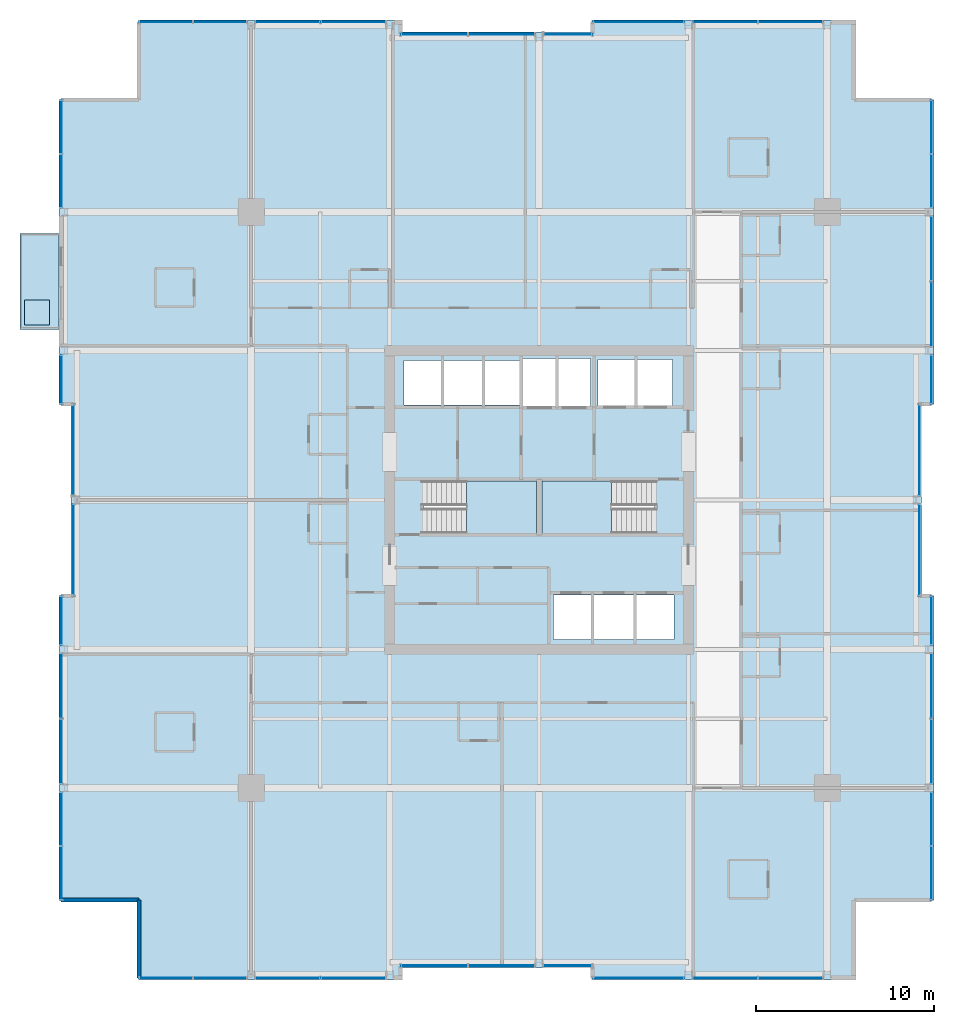
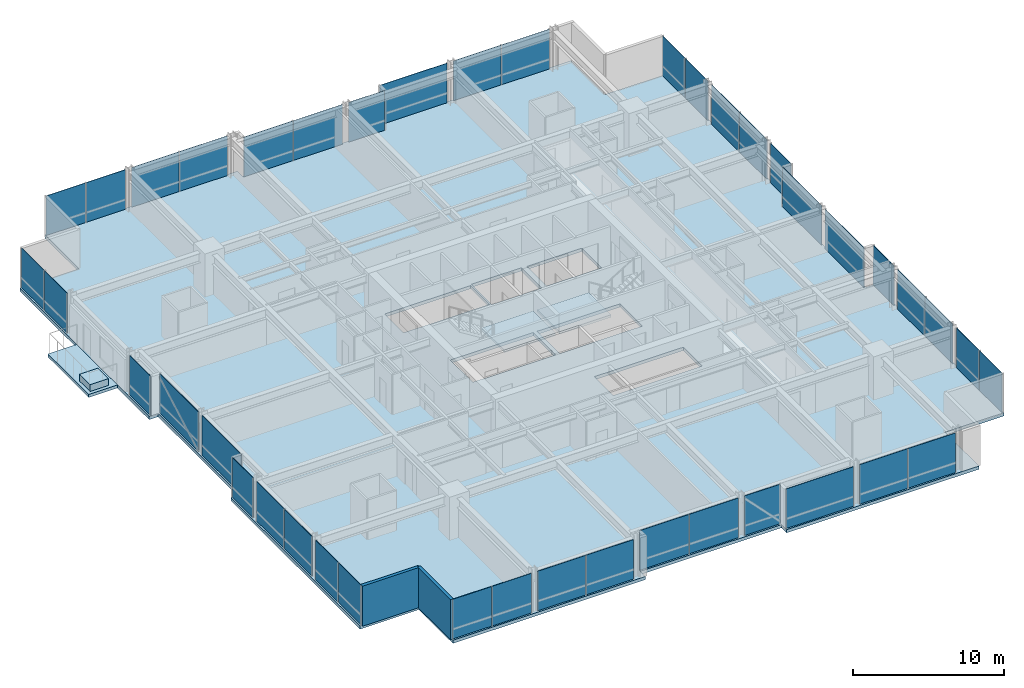
# One storey, part 27 of 34: 42 plates, 5 slabs, 2 walls, 29 elements without a shape of their own.
"""IFC4 building model written with IfcOpenShell, lengths in metres."""

import ifcopenshell
import ifcopenshell.guid

model = None  # the IFC model being written
_history = None  # IfcOwnerHistory: only IFC2X3 demands one
_inside = {}  # id of a spatial element -> (the spatial element, [elements in it])
_under = {}  # id of a project, library or spatial element -> (it, [spatial elements below it])
_declared = {}  # id of a project -> (the project, [libraries it declares])
_typed = {}  # id of a type object -> (the type object, [elements of that type])
_made_of = {}  # id of a material, layer set ... -> (it, [elements and type objects made of it])


def new_model(schema):
    """Start an empty IFC model of exactly this schema.

    Asked for "IFC4X3", IfcOpenShell would pick the latest addendum, in which some entities
    have other attributes; the version numbers below select the first issue.
    IFC2X3 requires an IfcOwnerHistory on every rooted entity: one is made here for all.
    """
    global model, _history
    if schema == "IFC4X3":
        model = ifcopenshell.file(schema_version=(4, 3, 0, 0))
    else:
        model = ifcopenshell.file(schema=schema)
    _inside.clear()
    _under.clear()
    _declared.clear()
    _typed.clear()
    _made_of.clear()
    _history = None
    if model.schema == "IFC2X3":
        org = make("IfcOrganization", Name="unknown")
        user = make(
            "IfcPersonAndOrganization",
            ThePerson=make("IfcPerson", FamilyName="unknown"),
            TheOrganization=org,
        )
        app = make(
            "IfcApplication",
            ApplicationDeveloper=org,
            Version="unknown",
            ApplicationFullName="unknown",
            ApplicationIdentifier="unknown",
        )
        _history = make(
            "IfcOwnerHistory",
            OwningUser=user,
            OwningApplication=app,
            ChangeAction="ADDED",
            CreationDate=0,
        )
    return model


def make(cls, **values):
    """One entity of the class cls with the attributes given. An attribute that is None is left unset."""
    return model.create_entity(
        cls, **{name: value for name, value in values.items() if value is not None}
    )


def rooted(cls, **values):
    """An entity with a GlobalId (a new one), such as an element, a storey or a relation."""
    return make(cls, GlobalId=ifcopenshell.guid.new(), OwnerHistory=_history, **values)


def si_unit(unit_type, name, prefix=None):
    """IfcSIUnit, for example si_unit("LENGTHUNIT", "METRE", prefix="MILLI")."""
    return make("IfcSIUnit", UnitType=unit_type, Prefix=prefix, Name=name)


def assignment(units):
    """IfcUnitAssignment: the units of a project."""
    return None if units is None else make("IfcUnitAssignment", Units=units)


def point(xyz):
    """IfcCartesianPoint."""
    return None if xyz is None else make("IfcCartesianPoint", Coordinates=xyz)


def direction(xyz):
    """IfcDirection."""
    return None if xyz is None else make("IfcDirection", DirectionRatios=xyz)


def frame(location, z_axis=None, x_axis=None):
    """IfcAxis2Placement3D, a coordinate frame: its origin and axes. An axis left out is left unset."""
    return make(
        "IfcAxis2Placement3D",
        Location=point(location),
        Axis=direction(z_axis),
        RefDirection=direction(x_axis),
    )


def frame_2d(location, x_axis=None):
    """IfcAxis2Placement2D, a coordinate frame in the plane: its origin and x axis."""
    return make(
        "IfcAxis2Placement2D", Location=point(location), RefDirection=direction(x_axis)
    )


def origin():
    """The frame at (0, 0, 0) with its axes left unset."""
    return frame((0.0, 0.0, 0.0))


def origin_2d():
    """The frame at (0, 0) in the plane with its x axis left unset."""
    return frame_2d((0.0, 0.0))


def place(relative_to, where):
    """IfcLocalPlacement: puts the frame where relative to a parent placement (None: the world)."""
    return make(
        "IfcLocalPlacement", PlacementRelTo=relative_to, RelativePlacement=where
    )


def context(
    kind, dimensions, precision=None, world=None, true_north=None, identifier=None
):
    """IfcGeometricRepresentationContext, for example the 3D "Model" context."""
    return make(
        "IfcGeometricRepresentationContext",
        ContextIdentifier=identifier,
        ContextType=kind,
        CoordinateSpaceDimension=dimensions,
        Precision=precision,
        WorldCoordinateSystem=world,
        TrueNorth=true_north,
    )


def subcontext(parent, identifier, kind, view, scale=None):
    """IfcGeometricRepresentationSubContext, for example "Body" below "Model"."""
    return make(
        "IfcGeometricRepresentationSubContext",
        ContextIdentifier=identifier,
        ContextType=kind,
        ParentContext=parent,
        TargetScale=scale,
        TargetView=view,
    )


def project(units=None, contexts=None):
    """IfcProject with its units and contexts."""
    return rooted(
        "IfcProject",
        Name="project",
        RepresentationContexts=contexts,
        UnitsInContext=assignment(units),
    )


def spatial(cls, under=None, at=None, **own):
    """A site, building, storey or space (cls), placed at a placement, below another one or the project."""
    s = rooted(cls, ObjectPlacement=at, **own)
    if under is not None:
        _under.setdefault(under.id(), (under, []))[1].append(s)
    return s


def polyline(points):
    """IfcPolyline through the points."""
    return make("IfcPolyline", Points=[point(p) for p in points])


def profile(cls, at=None, kind="AREA", **sizes):
    """A parametric profile (cls). Its sizes go by their IFC names, for example OverallWidth=200.0."""
    return make(cls, ProfileType=kind, Position=at, **sizes)


def rectangle(**sizes):
    """IfcRectangleProfileDef."""
    return profile("IfcRectangleProfileDef", **sizes)


def outline(outer, holes=None, kind="AREA"):
    """IfcArbitraryClosedProfileDef: a profile drawn as a closed curve; with holes, ...WithVoids."""
    if holes is None:
        return make("IfcArbitraryClosedProfileDef", ProfileType=kind, OuterCurve=outer)
    return make(
        "IfcArbitraryProfileDefWithVoids",
        ProfileType=kind,
        OuterCurve=outer,
        InnerCurves=holes,
    )


def extrude(swept, where, along, depth):
    """IfcExtrudedAreaSolid: the profile swept, set in the frame where, extruded along a direction by depth."""
    return make(
        "IfcExtrudedAreaSolid",
        SweptArea=swept,
        Position=where,
        ExtrudedDirection=direction(along),
        Depth=depth,
    )


def shape(context_of_items, identifier, shape_type, items):
    """IfcShapeRepresentation: the items that make up one representation, for example the "Body"."""
    return make(
        "IfcShapeRepresentation",
        ContextOfItems=context_of_items,
        RepresentationIdentifier=identifier,
        RepresentationType=shape_type,
        Items=items,
    )


def material(Name=None, Category=None):
    """IfcMaterial."""
    return make("IfcMaterial", Name=Name, Category=Category)


def layer(
    of_material, thickness, ventilated=None, Name=None, Category=None, Priority=None
):
    """IfcMaterialLayer: one layer of a wall or slab, of a material (None: an air gap)."""
    return make(
        "IfcMaterialLayer",
        Material=of_material,
        LayerThickness=thickness,
        IsVentilated=ventilated,
        Name=Name,
        Category=Category,
        Priority=Priority,
    )


def layer_set(layers, Name=None):
    """IfcMaterialLayerSet."""
    return make("IfcMaterialLayerSet", MaterialLayers=layers, LayerSetName=Name)


def made_of(thing, what):
    """Note that an element or type object is made of a material, layer set ...; save() writes the relation."""
    if what is not None:
        _made_of.setdefault(what.id(), (what, []))[1].append(thing)
    return thing


def type_object(cls, material=None, **own):
    """A type object (cls), such as IfcWallType, which elements share."""
    return made_of(rooted(cls, **own), material)


def element(
    cls,
    number,
    at=None,
    inside=None,
    cuts=None,
    type_object=None,
    material=None,
    context=None,
    identifier="Body",
    shape_type=None,
    held_by="IfcProductDefinitionShape",
    body=None,
    shapes=None,
    **own,
):
    """One element of the class cls, such as IfcWall. Its Tag is "e" and its number.

    at: its placement. inside: the storey or other place that contains it. cuts: it is an
    opening in that element (IfcRelVoidsElement). A single representation is given by context,
    identifier, shape_type and body (its items); several are given by shapes. held_by: the class
    of the entity that holds the representations. save() writes the other relations.
    """
    e = rooted(cls, Tag="e%d" % number, ObjectPlacement=at, **own)
    if body is not None:
        shapes = [shape(context, identifier, shape_type, body)]
    if shapes is not None:
        e.Representation = make(held_by, Representations=shapes)
    if inside is not None:
        _inside.setdefault(inside.id(), (inside, []))[1].append(e)
    if cuts is not None:
        rooted(
            "IfcRelVoidsElement", RelatingBuildingElement=cuts, RelatedOpeningElement=e
        )
    if type_object is not None:
        _typed.setdefault(type_object.id(), (type_object, []))[1].append(e)
    return made_of(e, material)


def aggregate(whole, parts):
    """IfcRelAggregates: a whole, such as a stair, and the parts it consists of."""
    return rooted("IfcRelAggregates", RelatingObject=whole, RelatedObjects=parts)


def save(model, path):
    """Write the relations noted so far, then the file.

    IfcRelAggregates (storeys below a building ...), IfcRelContainedInSpatialStructure (elements
    in a storey), IfcRelDefinesByType, IfcRelAssociatesMaterial and IfcRelDeclares: one each for
    every whole, place, type object, material and project.
    """
    for whole, parts in _under.values():
        aggregate(whole, parts)
    for where, things in _inside.values():
        rooted(
            "IfcRelContainedInSpatialStructure",
            RelatedElements=things,
            RelatingStructure=where,
        )
    for kind, things in _typed.values():
        rooted("IfcRelDefinesByType", RelatedObjects=things, RelatingType=kind)
    for what, things in _made_of.values():
        rooted("IfcRelAssociatesMaterial", RelatedObjects=things, RelatingMaterial=what)
    for by, libraries in _declared.values():
        rooted("IfcRelDeclares", RelatingContext=by, RelatedDefinitions=libraries)
    model.write(path)


model = new_model("IFC4")

# Units and contexts
model_context = context("Model", 3, precision=1e-05, world=origin(), true_north=direction((0.0, 1.0)))
body_context = subcontext(model_context, "Body", "Model", "MODEL_VIEW")
ifc_project = project(units=[si_unit("LENGTHUNIT", "METRE"), si_unit("AREAUNIT", "SQUARE_METRE"), si_unit("VOLUMEUNIT", "CUBIC_METRE"), si_unit("PLANEANGLEUNIT", "RADIAN"), si_unit("MASSUNIT", "GRAM", prefix="KILO")], contexts=[model_context])

# Site, building, storey
site_placement = place(None, origin())
site = spatial("IfcSite", under=ifc_project, at=site_placement, CompositionType="ELEMENT")
building_placement = place(site_placement, origin())
building = spatial("IfcBuilding", under=site, at=building_placement, Name="Drelvath Grand Hotel", CompositionType="ELEMENT")
storey_placement = place(building_placement, frame((0.0, 0.0, 102.300048828125)))
storey = spatial("IfcBuildingStorey", under=building, at=storey_placement, Name="L25", CompositionType="ELEMENT", Elevation=102.300048828125)

# Slabs
ifc_material_1 = material(Name="Concrete f'c 40 MPa", Category="concrete")
ifc_layer_1 = layer(ifc_material_1, 0.239990234375)
ifc_layer_set_1 = layer_set([ifc_layer_1], Name="Concrete f'c 40 MPa")
slab_type_1 = type_object("IfcSlabType", Name="Cantilevered Tree Balcony Slab 240", PredefinedType="FLOOR", material=ifc_layer_set_1)
slab_1_placement = place(storey_placement, frame((0.0, 0.0, -0.239990234375)))
element("IfcSlab", 1, at=slab_1_placement, inside=storey, type_object=slab_type_1, Name="L25 Cantilevered Tree Balcony Slab 1", PredefinedType="FLOOR", context=body_context, shape_type="SweptSolid", body=[
    extrude(outline(polyline([(-29.199951171875, 36.60009765625), (-27.0, 36.60009765625), (-27.0, 42.0), (-29.199951171875, 42.0), (-29.199951171875, 36.60009765625)])), origin(), (0.0, 0.0, 1.0), 0.239990234375),
])
ifc_layer_2 = layer(ifc_material_1, 0.260009765625)
ifc_layer_set_2 = layer_set([ifc_layer_2], Name="Concrete f'c 40 MPa")
slab_type_2 = type_object("IfcSlabType", Name="Composite RC Floor Slab 260", PredefinedType="FLOOR", material=ifc_layer_set_2)
slab_2_placement = place(storey_placement, frame((0.0, 0.0, -0.260009765625)))
element("IfcSlab", 2, at=slab_2_placement, inside=storey, type_object=slab_type_2, Name="L25 Structural Floor Slab", PredefinedType="FLOOR", context=body_context, shape_type="SweptSolid", body=[
    extrude(outline(polyline([(-22.5, 0.0), (-7.800048828125, 0.0), (-7.800048828125, 0.679931640625), (3.0, 0.679931640625), (3.0, 0.0), (17.699951171875, 0.0), (17.699951171875, 4.5), (22.199951171875, 4.5), (22.199951171875, 21.60009765625), (21.52001953125, 21.60009765625), (21.52001953125, 32.39990234375), (22.199951171875, 32.39990234375), (22.199951171875, 49.5), (17.699951171875, 49.5), (17.699951171875, 54.0), (3.0, 54.0), (3.0, 53.320068359375), (-7.800048828125, 53.320068359375), (-7.800048828125, 54.0), (-22.5, 54.0), (-22.5, 49.5), (-27.0, 49.5), (-27.0, 32.39990234375), (-26.320068359375, 32.39990234375), (-26.320068359375, 21.60009765625), (-27.0, 21.60009765625), (-27.0, 4.5), (-22.5, 4.5), (-22.5, 0.0)]), holes=[polyline([(-6.47998046875, 25.1201171875), (-6.47998046875, 28.080078125), (-0.14990234375, 28.080078125), (-0.14990234375, 25.1201171875), (-6.47998046875, 25.1201171875)]), polyline([(0.14990234375, 25.1201171875), (0.14990234375, 28.080078125), (6.47998046875, 28.080078125), (6.47998046875, 25.1201171875), (0.14990234375, 25.1201171875)]), polyline([(0.800048828125, 19.14990234375), (0.800048828125, 21.64990234375), (7.60009765625, 21.64990234375), (7.60009765625, 19.14990234375), (0.800048828125, 19.14990234375)]), polyline([(-7.60009765625, 32.35009765625), (-7.60009765625, 34.85009765625), (-1.02001953125, 34.85009765625), (-1.02001953125, 32.35009765625), (-7.60009765625, 32.35009765625)]), polyline([(-0.89990234375, 32.25), (-0.89990234375, 34.949951171875), (2.89990234375, 34.949951171875), (2.89990234375, 32.25), (-0.89990234375, 32.25)]), polyline([(3.300048828125, 32.300048828125), (3.300048828125, 34.89990234375), (7.5, 34.89990234375), (7.5, 32.300048828125), (3.300048828125, 32.300048828125)])]), origin(), (0.0, 0.0, 1.0), 0.260009765625),
])

# Stair, slab
ifc_material_2 = material(Name="Concrete C40/50", Category="concrete")
stair_type = type_object("IfcStairType", Name="Dogleg Exit Stair W1400-R175.0", PredefinedType="HALF_TURN_STAIR", material=ifc_material_2)
stair_1_placement = place(storey_placement, origin())
stair_1 = element("IfcStair", 3, at=stair_1_placement, inside=storey, type_object=stair_type, Name="L25 Core Exit Stair ST-1", PredefinedType="HALF_TURN_STAIR")
ifc_layer_3 = layer(ifc_material_2, 0.199951171875)
ifc_layer_set_3 = layer_set([ifc_layer_3], Name="Concrete C40/50")
slab_type_3 = type_object("IfcSlabType", Name="Concrete Stair Landing Slab 200", PredefinedType="LANDING", material=ifc_layer_set_3)
slab_3_placement = place(storey_placement, frame((0.0, 0.0, 1.550048828125)))
slab_3 = element("IfcSlab", 4, at=slab_3_placement, type_object=slab_type_3, Name="ST-1 landing 1", PredefinedType="LANDING", context=body_context, shape_type="SweptSolid", body=[
    extrude(outline(polyline([(-4.080078125, 25.1201171875), (-0.14990234375, 25.1201171875), (-0.14990234375, 28.080078125), (-4.080078125, 28.080078125), (-4.080078125, 25.1201171875)])), origin(), (0.0, 0.0, 1.0), 0.199951171875),
])
aggregate(stair_1, [slab_3])

stair_2_placement = place(storey_placement, origin())
stair_2 = element("IfcStair", 5, at=stair_2_placement, inside=storey, type_object=stair_type, Name="L25 Core Exit Stair ST-2", PredefinedType="HALF_TURN_STAIR")
slab_4_placement = place(storey_placement, frame((0.0, 0.0, 1.550048828125)))
slab_4 = element("IfcSlab", 6, at=slab_4_placement, type_object=slab_type_3, Name="ST-2 landing 1", PredefinedType="LANDING", context=body_context, shape_type="SweptSolid", body=[
    extrude(outline(polyline([(4.080078125, 28.080078125), (0.14990234375, 28.080078125), (0.14990234375, 25.1201171875), (4.080078125, 25.1201171875), (4.080078125, 28.080078125)])), origin(), (0.0, 0.0, 1.0), 0.199951171875),
])
aggregate(stair_2, [slab_4])

# Curtain wall, plates
ifc_material_3 = material(Name="Champagne Bronze Anodised Aluminium Frame", Category="aluminium")
ifc_layer_4 = layer(ifc_material_3, 0.199951171875)
ifc_layer_set_4 = layer_set([ifc_layer_4], Name="Champagne Bronze Anodised Aluminium Frame")
curtain_wall_type = type_object("IfcCurtainWallType", Name="Stick Curtain Wall CW-03 Champagne Bronze Mid-Rise", PredefinedType="NOTDEFINED", material=ifc_layer_set_4)
curtain_wall_1_placement = place(storey_placement, origin())
curtain_wall_1 = element("IfcCurtainWall", 7, at=curtain_wall_1_placement, inside=storey, type_object=curtain_wall_type, Name="L25 CW-03 Curtain Wall CW03-L25-WS1", PredefinedType="NOTDEFINED")
ifc_material_4 = material(Name="Low-E Triple Silver Vision Glass Neutral", Category="glass")
ifc_layer_5 = layer(ifc_material_4, 0.035888671875)
ifc_layer_set_5 = layer_set([ifc_layer_5], Name="Low-E Triple Silver Vision Glass Neutral")
plate_type = type_object("IfcPlateType", Name="Curtain Wall Vision Panel CW-03 36mm", PredefinedType="CURTAIN_PANEL", material=ifc_layer_set_5)
plate_1_placement = place(storey_placement, frame((-26.8798828125, 6.02001953125, 0.02001953125), z_axis=(0.0, 0.0, 1.0), x_axis=(0.0, 1.0, 0.0)))
plate_1 = element("IfcPlate", 8, at=plate_1_placement, type_object=plate_type, Name="CW03-L25-WS1 Glazed Panel 1", PredefinedType="CURTAIN_PANEL", context=body_context, shape_type="SweptSolid", body=[
    extrude(rectangle(XDim=3.000244140625, YDim=0.035888671875, at=origin_2d()), origin(), (0.0, 0.0, 1.0), 3.199951171875),
])
plate_2_placement = place(storey_placement, frame((-26.8798828125, 9.060302734375, 0.02001953125), z_axis=(0.0, 0.0, 1.0), x_axis=(0.0, 1.0, 0.0)))
plate_2 = element("IfcPlate", 9, at=plate_2_placement, type_object=plate_type, Name="CW03-L25-WS1 Glazed Panel 2", PredefinedType="CURTAIN_PANEL", context=body_context, shape_type="SweptSolid", body=[
    extrude(rectangle(XDim=3.000244140625, YDim=0.035888671875, at=origin_2d()), origin(), (0.0, 0.0, 1.0), 3.199951171875),
])
aggregate(curtain_wall_1, [plate_1, plate_2])

curtain_wall_2_placement = place(storey_placement, origin())
curtain_wall_2 = element("IfcCurtainWall", 10, at=curtain_wall_2_placement, inside=storey, type_object=curtain_wall_type, Name="L25 CW-03 Curtain Wall CW03-L25-WS2", PredefinedType="NOTDEFINED")
plate_3_placement = place(storey_placement, frame((-26.8798828125, 12.85986328125, 0.02001953125), z_axis=(0.0, 0.0, 1.0), x_axis=(0.0, 1.0, 0.0)))
plate_3 = element("IfcPlate", 11, at=plate_3_placement, type_object=plate_type, Name="CW03-L25-WS2 Glazed Panel 1", PredefinedType="CURTAIN_PANEL", context=body_context, shape_type="SweptSolid", body=[
    extrude(rectangle(XDim=3.640380859375, YDim=0.035888671875, at=origin_2d()), origin(), (0.0, 0.0, 1.0), 3.199951171875),
])
plate_4_placement = place(storey_placement, frame((-26.8798828125, 16.540283203125, 0.02001953125), z_axis=(0.0, 0.0, 1.0), x_axis=(0.0, 1.0, 0.0)))
plate_4 = element("IfcPlate", 12, at=plate_4_placement, type_object=plate_type, Name="CW03-L25-WS2 Glazed Panel 2", PredefinedType="CURTAIN_PANEL", context=body_context, shape_type="SweptSolid", body=[
    extrude(rectangle(XDim=3.640380859375, YDim=0.035888671875, at=origin_2d()), origin(), (0.0, 0.0, 1.0), 3.199951171875),
])
aggregate(curtain_wall_2, [plate_3, plate_4])

# Curtain wall, plate
curtain_wall_3_placement = place(storey_placement, origin())
curtain_wall_3 = element("IfcCurtainWall", 13, at=curtain_wall_3_placement, inside=storey, type_object=curtain_wall_type, Name="L25 CW-03 Curtain Wall CW03-L25-WS3", PredefinedType="NOTDEFINED")
plate_5_placement = place(storey_placement, frame((-26.8798828125, 20.209716796875, 0.02001953125), z_axis=(0.0, 0.0, 1.0), x_axis=(0.0, 1.0, 0.0)))
plate_5 = element("IfcPlate", 14, at=plate_5_placement, type_object=plate_type, Name="CW03-L25-WS3 Glazed Panel 1", PredefinedType="CURTAIN_PANEL", context=body_context, shape_type="SweptSolid", body=[
    extrude(rectangle(XDim=2.740478515625, YDim=0.035888671875, at=origin_2d()), origin(), (0.0, 0.0, 1.0), 3.199951171875),
])
aggregate(curtain_wall_3, [plate_5])

curtain_wall_4_placement = place(storey_placement, origin())
curtain_wall_4 = element("IfcCurtainWall", 15, at=curtain_wall_4_placement, inside=storey, type_object=curtain_wall_type, Name="L25 CW-03 Curtain Wall CW03-L25-WM1", PredefinedType="NOTDEFINED")
plate_6_placement = place(storey_placement, frame((-26.199951171875, 24.190185546875, 0.02001953125), z_axis=(0.0, 0.0, 1.0), x_axis=(0.0, 1.0, 0.0)))
plate_6 = element("IfcPlate", 16, at=plate_6_placement, type_object=plate_type, Name="CW03-L25-WM1 Glazed Panel 1", PredefinedType="CURTAIN_PANEL", context=body_context, shape_type="SweptSolid", body=[
    extrude(rectangle(XDim=5.140380859375, YDim=0.035888671875, at=origin_2d()), origin(), (0.0, 0.0, 1.0), 3.199951171875),
])
aggregate(curtain_wall_4, [plate_6])

curtain_wall_5_placement = place(storey_placement, origin())
curtain_wall_5 = element("IfcCurtainWall", 17, at=curtain_wall_5_placement, inside=storey, type_object=curtain_wall_type, Name="L25 CW-03 Curtain Wall CW03-L25-WM2", PredefinedType="NOTDEFINED")
plate_7_placement = place(storey_placement, frame((-26.199951171875, 29.809814453125, 0.02001953125), z_axis=(0.0, 0.0, 1.0), x_axis=(0.0, 1.0, 0.0)))
plate_7 = element("IfcPlate", 18, at=plate_7_placement, type_object=plate_type, Name="CW03-L25-WM2 Glazed Panel 1", PredefinedType="CURTAIN_PANEL", context=body_context, shape_type="SweptSolid", body=[
    extrude(rectangle(XDim=5.140380859375, YDim=0.035888671875, at=origin_2d()), origin(), (0.0, 0.0, 1.0), 3.199951171875),
])
aggregate(curtain_wall_5, [plate_7])

curtain_wall_6_placement = place(storey_placement, origin())
curtain_wall_6 = element("IfcCurtainWall", 19, at=curtain_wall_6_placement, inside=storey, type_object=curtain_wall_type, Name="L25 CW-03 Curtain Wall CW03-L25-WN1", PredefinedType="NOTDEFINED")
plate_8_placement = place(storey_placement, frame((-26.8798828125, 33.790283203125, 0.02001953125), z_axis=(0.0, 0.0, 1.0), x_axis=(0.0, 1.0, 0.0)))
plate_8 = element("IfcPlate", 20, at=plate_8_placement, type_object=plate_type, Name="CW03-L25-WN1 Glazed Panel 1", PredefinedType="CURTAIN_PANEL", context=body_context, shape_type="SweptSolid", body=[
    extrude(rectangle(XDim=2.740478515625, YDim=0.035888671875, at=origin_2d()), origin(), (0.0, 0.0, 1.0), 3.199951171875),
])
aggregate(curtain_wall_6, [plate_8])

# Curtain wall, plates
curtain_wall_7_placement = place(storey_placement, origin())
curtain_wall_7 = element("IfcCurtainWall", 21, at=curtain_wall_7_placement, inside=storey, type_object=curtain_wall_type, Name="L25 CW-03 Curtain Wall CW03-L25-WN3", PredefinedType="NOTDEFINED")
plate_9_placement = place(storey_placement, frame((-26.8798828125, 44.939697265625, 0.02001953125), z_axis=(0.0, 0.0, 1.0), x_axis=(0.0, 1.0, 0.0)))
plate_9 = element("IfcPlate", 22, at=plate_9_placement, type_object=plate_type, Name="CW03-L25-WN3 Glazed Panel 1", PredefinedType="CURTAIN_PANEL", context=body_context, shape_type="SweptSolid", body=[
    extrude(rectangle(XDim=3.000244140625, YDim=0.035888671875, at=origin_2d()), origin(), (0.0, 0.0, 1.0), 3.199951171875),
])
plate_10_placement = place(storey_placement, frame((-26.8798828125, 47.97998046875, 0.02001953125), z_axis=(0.0, 0.0, 1.0), x_axis=(0.0, 1.0, 0.0)))
plate_10 = element("IfcPlate", 23, at=plate_10_placement, type_object=plate_type, Name="CW03-L25-WN3 Glazed Panel 2", PredefinedType="CURTAIN_PANEL", context=body_context, shape_type="SweptSolid", body=[
    extrude(rectangle(XDim=3.000244140625, YDim=0.035888671875, at=origin_2d()), origin(), (0.0, 0.0, 1.0), 3.199951171875),
])
aggregate(curtain_wall_7, [plate_9, plate_10])

# Curtain wall, plate
curtain_wall_8_placement = place(storey_placement, origin())
curtain_wall_8 = element("IfcCurtainWall", 24, at=curtain_wall_8_placement, inside=storey, type_object=curtain_wall_type, Name="L25 CW-03 Curtain Wall CW03-L25-EN1", PredefinedType="NOTDEFINED")
plate_11_placement = place(storey_placement, frame((22.080078125, 33.790283203125, 0.02001953125), z_axis=(0.0, 0.0, 1.0), x_axis=(0.0, -1.0, 0.0)))
plate_11 = element("IfcPlate", 25, at=plate_11_placement, type_object=plate_type, Name="CW03-L25-EN1 Glazed Panel 1", PredefinedType="CURTAIN_PANEL", context=body_context, shape_type="SweptSolid", body=[
    extrude(rectangle(XDim=2.740478515625, YDim=0.035888671875, at=origin_2d()), origin(), (0.0, 0.0, 1.0), 3.199951171875),
])
aggregate(curtain_wall_8, [plate_11])

# Curtain wall, plates
curtain_wall_9_placement = place(storey_placement, origin())
curtain_wall_9 = element("IfcCurtainWall", 26, at=curtain_wall_9_placement, inside=storey, type_object=curtain_wall_type, Name="L25 CW-03 Curtain Wall CW03-L25-EN2", PredefinedType="NOTDEFINED")
plate_12_placement = place(storey_placement, frame((22.080078125, 41.14013671875, 0.02001953125), z_axis=(0.0, 0.0, 1.0), x_axis=(0.0, -1.0, 0.0)))
plate_12 = element("IfcPlate", 27, at=plate_12_placement, type_object=plate_type, Name="CW03-L25-EN2 Glazed Panel 1", PredefinedType="CURTAIN_PANEL", context=body_context, shape_type="SweptSolid", body=[
    extrude(rectangle(XDim=3.640380859375, YDim=0.035888671875, at=origin_2d()), origin(), (0.0, 0.0, 1.0), 3.199951171875),
])
plate_13_placement = place(storey_placement, frame((22.080078125, 37.459716796875, 0.02001953125), z_axis=(0.0, 0.0, 1.0), x_axis=(0.0, -1.0, 0.0)))
plate_13 = element("IfcPlate", 28, at=plate_13_placement, type_object=plate_type, Name="CW03-L25-EN2 Glazed Panel 2", PredefinedType="CURTAIN_PANEL", context=body_context, shape_type="SweptSolid", body=[
    extrude(rectangle(XDim=3.640380859375, YDim=0.035888671875, at=origin_2d()), origin(), (0.0, 0.0, 1.0), 3.199951171875),
])
aggregate(curtain_wall_9, [plate_12, plate_13])

curtain_wall_10_placement = place(storey_placement, origin())
curtain_wall_10 = element("IfcCurtainWall", 29, at=curtain_wall_10_placement, inside=storey, type_object=curtain_wall_type, Name="L25 CW-03 Curtain Wall CW03-L25-EN3", PredefinedType="NOTDEFINED")
plate_14_placement = place(storey_placement, frame((22.080078125, 47.97998046875, 0.02001953125), z_axis=(0.0, 0.0, 1.0), x_axis=(0.0, -1.0, 0.0)))
plate_14 = element("IfcPlate", 30, at=plate_14_placement, type_object=plate_type, Name="CW03-L25-EN3 Glazed Panel 1", PredefinedType="CURTAIN_PANEL", context=body_context, shape_type="SweptSolid", body=[
    extrude(rectangle(XDim=3.000244140625, YDim=0.035888671875, at=origin_2d()), origin(), (0.0, 0.0, 1.0), 3.199951171875),
])
plate_15_placement = place(storey_placement, frame((22.080078125, 44.939697265625, 0.02001953125), z_axis=(0.0, 0.0, 1.0), x_axis=(0.0, -1.0, 0.0)))
plate_15 = element("IfcPlate", 31, at=plate_15_placement, type_object=plate_type, Name="CW03-L25-EN3 Glazed Panel 2", PredefinedType="CURTAIN_PANEL", context=body_context, shape_type="SweptSolid", body=[
    extrude(rectangle(XDim=3.000244140625, YDim=0.035888671875, at=origin_2d()), origin(), (0.0, 0.0, 1.0), 3.199951171875),
])
aggregate(curtain_wall_10, [plate_14, plate_15])

# Curtain wall, plate
curtain_wall_11_placement = place(storey_placement, origin())
curtain_wall_11 = element("IfcCurtainWall", 32, at=curtain_wall_11_placement, inside=storey, type_object=curtain_wall_type, Name="L25 CW-03 Curtain Wall CW03-L25-EM1", PredefinedType="NOTDEFINED")
plate_16_placement = place(storey_placement, frame((21.39990234375, 24.190185546875, 0.02001953125), z_axis=(0.0, 0.0, 1.0), x_axis=(0.0, -1.0, 0.0)))
plate_16 = element("IfcPlate", 33, at=plate_16_placement, type_object=plate_type, Name="CW03-L25-EM1 Glazed Panel 1", PredefinedType="CURTAIN_PANEL", context=body_context, shape_type="SweptSolid", body=[
    extrude(rectangle(XDim=5.140380859375, YDim=0.035888671875, at=origin_2d()), origin(), (0.0, 0.0, 1.0), 3.199951171875),
])
aggregate(curtain_wall_11, [plate_16])

curtain_wall_12_placement = place(storey_placement, origin())
curtain_wall_12 = element("IfcCurtainWall", 34, at=curtain_wall_12_placement, inside=storey, type_object=curtain_wall_type, Name="L25 CW-03 Curtain Wall CW03-L25-EM2", PredefinedType="NOTDEFINED")
plate_17_placement = place(storey_placement, frame((21.39990234375, 29.809814453125, 0.02001953125), z_axis=(0.0, 0.0, 1.0), x_axis=(0.0, -1.0, 0.0)))
plate_17 = element("IfcPlate", 35, at=plate_17_placement, type_object=plate_type, Name="CW03-L25-EM2 Glazed Panel 1", PredefinedType="CURTAIN_PANEL", context=body_context, shape_type="SweptSolid", body=[
    extrude(rectangle(XDim=5.140380859375, YDim=0.035888671875, at=origin_2d()), origin(), (0.0, 0.0, 1.0), 3.199951171875),
])
aggregate(curtain_wall_12, [plate_17])

# Curtain wall, plates
curtain_wall_13_placement = place(storey_placement, origin())
curtain_wall_13 = element("IfcCurtainWall", 36, at=curtain_wall_13_placement, inside=storey, type_object=curtain_wall_type, Name="L25 CW-03 Curtain Wall CW03-L25-ES1", PredefinedType="NOTDEFINED")
plate_18_placement = place(storey_placement, frame((22.080078125, 9.060302734375, 0.02001953125), z_axis=(0.0, 0.0, 1.0), x_axis=(0.0, -1.0, 0.0)))
plate_18 = element("IfcPlate", 37, at=plate_18_placement, type_object=plate_type, Name="CW03-L25-ES1 Glazed Panel 1", PredefinedType="CURTAIN_PANEL", context=body_context, shape_type="SweptSolid", body=[
    extrude(rectangle(XDim=3.000244140625, YDim=0.035888671875, at=origin_2d()), origin(), (0.0, 0.0, 1.0), 3.199951171875),
])
plate_19_placement = place(storey_placement, frame((22.080078125, 6.02001953125, 0.02001953125), z_axis=(0.0, 0.0, 1.0), x_axis=(0.0, -1.0, 0.0)))
plate_19 = element("IfcPlate", 38, at=plate_19_placement, type_object=plate_type, Name="CW03-L25-ES1 Glazed Panel 2", PredefinedType="CURTAIN_PANEL", context=body_context, shape_type="SweptSolid", body=[
    extrude(rectangle(XDim=3.000244140625, YDim=0.035888671875, at=origin_2d()), origin(), (0.0, 0.0, 1.0), 3.199951171875),
])
aggregate(curtain_wall_13, [plate_18, plate_19])

curtain_wall_14_placement = place(storey_placement, origin())
curtain_wall_14 = element("IfcCurtainWall", 39, at=curtain_wall_14_placement, inside=storey, type_object=curtain_wall_type, Name="L25 CW-03 Curtain Wall CW03-L25-ES2", PredefinedType="NOTDEFINED")
plate_20_placement = place(storey_placement, frame((22.080078125, 16.540283203125, 0.02001953125), z_axis=(0.0, 0.0, 1.0), x_axis=(0.0, -1.0, 0.0)))
plate_20 = element("IfcPlate", 40, at=plate_20_placement, type_object=plate_type, Name="CW03-L25-ES2 Glazed Panel 1", PredefinedType="CURTAIN_PANEL", context=body_context, shape_type="SweptSolid", body=[
    extrude(rectangle(XDim=3.640380859375, YDim=0.035888671875, at=origin_2d()), origin(), (0.0, 0.0, 1.0), 3.199951171875),
])
plate_21_placement = place(storey_placement, frame((22.080078125, 12.85986328125, 0.02001953125), z_axis=(0.0, 0.0, 1.0), x_axis=(0.0, -1.0, 0.0)))
plate_21 = element("IfcPlate", 41, at=plate_21_placement, type_object=plate_type, Name="CW03-L25-ES2 Glazed Panel 2", PredefinedType="CURTAIN_PANEL", context=body_context, shape_type="SweptSolid", body=[
    extrude(rectangle(XDim=3.640380859375, YDim=0.035888671875, at=origin_2d()), origin(), (0.0, 0.0, 1.0), 3.199951171875),
])
aggregate(curtain_wall_14, [plate_20, plate_21])

# Curtain wall, plate
curtain_wall_15_placement = place(storey_placement, origin())
curtain_wall_15 = element("IfcCurtainWall", 42, at=curtain_wall_15_placement, inside=storey, type_object=curtain_wall_type, Name="L25 CW-03 Curtain Wall CW03-L25-ES3", PredefinedType="NOTDEFINED")
plate_22_placement = place(storey_placement, frame((22.080078125, 20.209716796875, 0.02001953125), z_axis=(0.0, 0.0, 1.0), x_axis=(0.0, -1.0, 0.0)))
plate_22 = element("IfcPlate", 43, at=plate_22_placement, type_object=plate_type, Name="CW03-L25-ES3 Glazed Panel 1", PredefinedType="CURTAIN_PANEL", context=body_context, shape_type="SweptSolid", body=[
    extrude(rectangle(XDim=2.740478515625, YDim=0.035888671875, at=origin_2d()), origin(), (0.0, 0.0, 1.0), 3.199951171875),
])
aggregate(curtain_wall_15, [plate_22])

# Curtain wall, plates
curtain_wall_16_placement = place(storey_placement, origin())
curtain_wall_16 = element("IfcCurtainWall", 44, at=curtain_wall_16_placement, inside=storey, type_object=curtain_wall_type, Name="L25 CW-03 Curtain Wall CW03-L25-NW1", PredefinedType="NOTDEFINED")
plate_23_placement = place(storey_placement, frame((-20.97998046875, 53.8798828125, 0.02001953125), z_axis=(0.0, 0.0, 1.0), x_axis=(1.0, 0.0, 0.0)))
plate_23 = element("IfcPlate", 45, at=plate_23_placement, type_object=plate_type, Name="CW03-L25-NW1 Glazed Panel 1", PredefinedType="CURTAIN_PANEL", context=body_context, shape_type="SweptSolid", body=[
    extrude(rectangle(XDim=3.000244140625, YDim=0.035888671875, at=origin_2d()), origin(), (0.0, 0.0, 1.0), 3.199951171875),
])
plate_24_placement = place(storey_placement, frame((-17.939697265625, 53.8798828125, 0.02001953125), z_axis=(0.0, 0.0, 1.0), x_axis=(1.0, 0.0, 0.0)))
plate_24 = element("IfcPlate", 46, at=plate_24_placement, type_object=plate_type, Name="CW03-L25-NW1 Glazed Panel 2", PredefinedType="CURTAIN_PANEL", context=body_context, shape_type="SweptSolid", body=[
    extrude(rectangle(XDim=3.000244140625, YDim=0.035888671875, at=origin_2d()), origin(), (0.0, 0.0, 1.0), 3.199951171875),
])
aggregate(curtain_wall_16, [plate_23, plate_24])

curtain_wall_17_placement = place(storey_placement, origin())
curtain_wall_17 = element("IfcCurtainWall", 47, at=curtain_wall_17_placement, inside=storey, type_object=curtain_wall_type, Name="L25 CW-03 Curtain Wall CW03-L25-NW2", PredefinedType="NOTDEFINED")
plate_25_placement = place(storey_placement, frame((-14.14013671875, 53.8798828125, 0.02001953125), z_axis=(0.0, 0.0, 1.0), x_axis=(1.0, 0.0, 0.0)))
plate_25 = element("IfcPlate", 48, at=plate_25_placement, type_object=plate_type, Name="CW03-L25-NW2 Glazed Panel 1", PredefinedType="CURTAIN_PANEL", context=body_context, shape_type="SweptSolid", body=[
    extrude(rectangle(XDim=3.640380859375, YDim=0.035888671875, at=origin_2d()), origin(), (0.0, 0.0, 1.0), 3.199951171875),
])
plate_26_placement = place(storey_placement, frame((-10.459716796875, 53.8798828125, 0.02001953125), z_axis=(0.0, 0.0, 1.0), x_axis=(1.0, 0.0, 0.0)))
plate_26 = element("IfcPlate", 49, at=plate_26_placement, type_object=plate_type, Name="CW03-L25-NW2 Glazed Panel 2", PredefinedType="CURTAIN_PANEL", context=body_context, shape_type="SweptSolid", body=[
    extrude(rectangle(XDim=3.640380859375, YDim=0.035888671875, at=origin_2d()), origin(), (0.0, 0.0, 1.0), 3.199951171875),
])
aggregate(curtain_wall_17, [plate_25, plate_26])

curtain_wall_18_placement = place(storey_placement, origin())
curtain_wall_18 = element("IfcCurtainWall", 50, at=curtain_wall_18_placement, inside=storey, type_object=curtain_wall_type, Name="L25 CW-03 Curtain Wall CW03-L25-NM1", PredefinedType="NOTDEFINED")
plate_27_placement = place(storey_placement, frame((-5.90478515625, 53.199951171875, 0.02001953125), z_axis=(0.0, 0.0, 1.0), x_axis=(1.0, 0.0, 0.0)))
plate_27 = element("IfcPlate", 51, at=plate_27_placement, type_object=plate_type, Name="CW03-L25-NM1 Glazed Panel 1", PredefinedType="CURTAIN_PANEL", context=body_context, shape_type="SweptSolid", body=[
    extrude(rectangle(XDim=3.750244140625, YDim=0.035888671875, at=origin_2d()), origin(), (0.0, 0.0, 1.0), 3.199951171875),
])
plate_28_placement = place(storey_placement, frame((-2.11474609375, 53.199951171875, 0.02001953125), z_axis=(0.0, 0.0, 1.0), x_axis=(1.0, 0.0, 0.0)))
plate_28 = element("IfcPlate", 52, at=plate_28_placement, type_object=plate_type, Name="CW03-L25-NM1 Glazed Panel 2", PredefinedType="CURTAIN_PANEL", context=body_context, shape_type="SweptSolid", body=[
    extrude(rectangle(XDim=3.750244140625, YDim=0.035888671875, at=origin_2d()), origin(), (0.0, 0.0, 1.0), 3.199951171875),
])
aggregate(curtain_wall_18, [plate_27, plate_28])

# Curtain wall, plate
curtain_wall_19_placement = place(storey_placement, origin())
curtain_wall_19 = element("IfcCurtainWall", 53, at=curtain_wall_19_placement, inside=storey, type_object=curtain_wall_type, Name="L25 CW-03 Curtain Wall CW03-L25-NM2", PredefinedType="NOTDEFINED")
plate_29_placement = place(storey_placement, frame((1.60986328125, 53.199951171875, 0.02001953125), z_axis=(0.0, 0.0, 1.0), x_axis=(1.0, 0.0, 0.0)))
plate_29 = element("IfcPlate", 54, at=plate_29_placement, type_object=plate_type, Name="CW03-L25-NM2 Glazed Panel 1", PredefinedType="CURTAIN_PANEL", context=body_context, shape_type="SweptSolid", body=[
    extrude(rectangle(XDim=2.740478515625, YDim=0.035888671875, at=origin_2d()), origin(), (0.0, 0.0, 1.0), 3.199951171875),
])
aggregate(curtain_wall_19, [plate_29])

curtain_wall_20_placement = place(storey_placement, origin())
curtain_wall_20 = element("IfcCurtainWall", 55, at=curtain_wall_20_placement, inside=storey, type_object=curtain_wall_type, Name="L25 CW-03 Curtain Wall CW03-L25-NE1", PredefinedType="NOTDEFINED")
plate_30_placement = place(storey_placement, frame((5.590087890625, 53.8798828125, 0.02001953125), z_axis=(0.0, 0.0, 1.0), x_axis=(1.0, 0.0, 0.0)))
plate_30 = element("IfcPlate", 56, at=plate_30_placement, type_object=plate_type, Name="CW03-L25-NE1 Glazed Panel 1", PredefinedType="CURTAIN_PANEL", context=body_context, shape_type="SweptSolid", body=[
    extrude(rectangle(XDim=5.140380859375, YDim=0.035888671875, at=origin_2d()), origin(), (0.0, 0.0, 1.0), 3.199951171875),
])
aggregate(curtain_wall_20, [plate_30])

# Curtain wall, plates
curtain_wall_21_placement = place(storey_placement, origin())
curtain_wall_21 = element("IfcCurtainWall", 57, at=curtain_wall_21_placement, inside=storey, type_object=curtain_wall_type, Name="L25 CW-03 Curtain Wall CW03-L25-NE2", PredefinedType="NOTDEFINED")
plate_31_placement = place(storey_placement, frame((10.459716796875, 53.8798828125, 0.02001953125), z_axis=(0.0, 0.0, 1.0), x_axis=(1.0, 0.0, 0.0)))
plate_31 = element("IfcPlate", 58, at=plate_31_placement, type_object=plate_type, Name="CW03-L25-NE2 Glazed Panel 1", PredefinedType="CURTAIN_PANEL", context=body_context, shape_type="SweptSolid", body=[
    extrude(rectangle(XDim=3.640380859375, YDim=0.035888671875, at=origin_2d()), origin(), (0.0, 0.0, 1.0), 3.199951171875),
])
plate_32_placement = place(storey_placement, frame((14.14013671875, 53.8798828125, 0.02001953125), z_axis=(0.0, 0.0, 1.0), x_axis=(1.0, 0.0, 0.0)))
plate_32 = element("IfcPlate", 59, at=plate_32_placement, type_object=plate_type, Name="CW03-L25-NE2 Glazed Panel 2", PredefinedType="CURTAIN_PANEL", context=body_context, shape_type="SweptSolid", body=[
    extrude(rectangle(XDim=3.640380859375, YDim=0.035888671875, at=origin_2d()), origin(), (0.0, 0.0, 1.0), 3.199951171875),
])
aggregate(curtain_wall_21, [plate_31, plate_32])

# Curtain wall, plate
curtain_wall_22_placement = place(storey_placement, origin())
curtain_wall_22 = element("IfcCurtainWall", 60, at=curtain_wall_22_placement, inside=storey, type_object=curtain_wall_type, Name="L25 CW-03 Curtain Wall CW03-L25-SE1", PredefinedType="NOTDEFINED")
plate_33_placement = place(storey_placement, frame((5.590087890625, 0.1201171875, 0.02001953125), z_axis=(0.0, 0.0, 1.0), x_axis=(-1.0, 0.0, 0.0)))
plate_33 = element("IfcPlate", 61, at=plate_33_placement, type_object=plate_type, Name="CW03-L25-SE1 Glazed Panel 1", PredefinedType="CURTAIN_PANEL", context=body_context, shape_type="SweptSolid", body=[
    extrude(rectangle(XDim=5.140380859375, YDim=0.035888671875, at=origin_2d()), origin(), (0.0, 0.0, 1.0), 3.199951171875),
])
aggregate(curtain_wall_22, [plate_33])

# Curtain wall, plates
curtain_wall_23_placement = place(storey_placement, origin())
curtain_wall_23 = element("IfcCurtainWall", 62, at=curtain_wall_23_placement, inside=storey, type_object=curtain_wall_type, Name="L25 CW-03 Curtain Wall CW03-L25-SE2", PredefinedType="NOTDEFINED")
plate_34_placement = place(storey_placement, frame((14.14013671875, 0.1201171875, 0.02001953125), z_axis=(0.0, 0.0, 1.0), x_axis=(-1.0, 0.0, 0.0)))
plate_34 = element("IfcPlate", 63, at=plate_34_placement, type_object=plate_type, Name="CW03-L25-SE2 Glazed Panel 1", PredefinedType="CURTAIN_PANEL", context=body_context, shape_type="SweptSolid", body=[
    extrude(rectangle(XDim=3.640380859375, YDim=0.035888671875, at=origin_2d()), origin(), (0.0, 0.0, 1.0), 3.199951171875),
])
plate_35_placement = place(storey_placement, frame((10.459716796875, 0.1201171875, 0.02001953125), z_axis=(0.0, 0.0, 1.0), x_axis=(-1.0, 0.0, 0.0)))
plate_35 = element("IfcPlate", 64, at=plate_35_placement, type_object=plate_type, Name="CW03-L25-SE2 Glazed Panel 2", PredefinedType="CURTAIN_PANEL", context=body_context, shape_type="SweptSolid", body=[
    extrude(rectangle(XDim=3.640380859375, YDim=0.035888671875, at=origin_2d()), origin(), (0.0, 0.0, 1.0), 3.199951171875),
])
aggregate(curtain_wall_23, [plate_34, plate_35])

curtain_wall_24_placement = place(storey_placement, origin())
curtain_wall_24 = element("IfcCurtainWall", 65, at=curtain_wall_24_placement, inside=storey, type_object=curtain_wall_type, Name="L25 CW-03 Curtain Wall CW03-L25-SM1", PredefinedType="NOTDEFINED")
plate_36_placement = place(storey_placement, frame((-2.11474609375, 0.800048828125, 0.02001953125), z_axis=(0.0, 0.0, 1.0), x_axis=(-1.0, 0.0, 0.0)))
plate_36 = element("IfcPlate", 66, at=plate_36_placement, type_object=plate_type, Name="CW03-L25-SM1 Glazed Panel 1", PredefinedType="CURTAIN_PANEL", context=body_context, shape_type="SweptSolid", body=[
    extrude(rectangle(XDim=3.750244140625, YDim=0.035888671875, at=origin_2d()), origin(), (0.0, 0.0, 1.0), 3.199951171875),
])
plate_37_placement = place(storey_placement, frame((-5.90478515625, 0.800048828125, 0.02001953125), z_axis=(0.0, 0.0, 1.0), x_axis=(-1.0, 0.0, 0.0)))
plate_37 = element("IfcPlate", 67, at=plate_37_placement, type_object=plate_type, Name="CW03-L25-SM1 Glazed Panel 2", PredefinedType="CURTAIN_PANEL", context=body_context, shape_type="SweptSolid", body=[
    extrude(rectangle(XDim=3.750244140625, YDim=0.035888671875, at=origin_2d()), origin(), (0.0, 0.0, 1.0), 3.199951171875),
])
aggregate(curtain_wall_24, [plate_36, plate_37])

# Curtain wall, plate
curtain_wall_25_placement = place(storey_placement, origin())
curtain_wall_25 = element("IfcCurtainWall", 68, at=curtain_wall_25_placement, inside=storey, type_object=curtain_wall_type, Name="L25 CW-03 Curtain Wall CW03-L25-SM2", PredefinedType="NOTDEFINED")
plate_38_placement = place(storey_placement, frame((1.60986328125, 0.800048828125, 0.02001953125), z_axis=(0.0, 0.0, 1.0), x_axis=(-1.0, 0.0, 0.0)))
plate_38 = element("IfcPlate", 69, at=plate_38_placement, type_object=plate_type, Name="CW03-L25-SM2 Glazed Panel 1", PredefinedType="CURTAIN_PANEL", context=body_context, shape_type="SweptSolid", body=[
    extrude(rectangle(XDim=2.740478515625, YDim=0.035888671875, at=origin_2d()), origin(), (0.0, 0.0, 1.0), 3.199951171875),
])
aggregate(curtain_wall_25, [plate_38])

# Curtain wall, plates
curtain_wall_26_placement = place(storey_placement, origin())
curtain_wall_26 = element("IfcCurtainWall", 70, at=curtain_wall_26_placement, inside=storey, type_object=curtain_wall_type, Name="L25 CW-03 Curtain Wall CW03-L25-SW1", PredefinedType="NOTDEFINED")
plate_39_placement = place(storey_placement, frame((-17.939697265625, 0.1201171875, 0.02001953125), z_axis=(0.0, 0.0, 1.0), x_axis=(-1.0, 0.0, 0.0)))
plate_39 = element("IfcPlate", 71, at=plate_39_placement, type_object=plate_type, Name="CW03-L25-SW1 Glazed Panel 1", PredefinedType="CURTAIN_PANEL", context=body_context, shape_type="SweptSolid", body=[
    extrude(rectangle(XDim=3.000244140625, YDim=0.035888671875, at=origin_2d()), origin(), (0.0, 0.0, 1.0), 3.199951171875),
])
plate_40_placement = place(storey_placement, frame((-20.97998046875, 0.1201171875, 0.02001953125), z_axis=(0.0, 0.0, 1.0), x_axis=(-1.0, 0.0, 0.0)))
plate_40 = element("IfcPlate", 72, at=plate_40_placement, type_object=plate_type, Name="CW03-L25-SW1 Glazed Panel 2", PredefinedType="CURTAIN_PANEL", context=body_context, shape_type="SweptSolid", body=[
    extrude(rectangle(XDim=3.000244140625, YDim=0.035888671875, at=origin_2d()), origin(), (0.0, 0.0, 1.0), 3.199951171875),
])
aggregate(curtain_wall_26, [plate_39, plate_40])

curtain_wall_27_placement = place(storey_placement, origin())
curtain_wall_27 = element("IfcCurtainWall", 73, at=curtain_wall_27_placement, inside=storey, type_object=curtain_wall_type, Name="L25 CW-03 Curtain Wall CW03-L25-SW2", PredefinedType="NOTDEFINED")
plate_41_placement = place(storey_placement, frame((-10.459716796875, 0.1201171875, 0.02001953125), z_axis=(0.0, 0.0, 1.0), x_axis=(-1.0, 0.0, 0.0)))
plate_41 = element("IfcPlate", 74, at=plate_41_placement, type_object=plate_type, Name="CW03-L25-SW2 Glazed Panel 1", PredefinedType="CURTAIN_PANEL", context=body_context, shape_type="SweptSolid", body=[
    extrude(rectangle(XDim=3.640380859375, YDim=0.035888671875, at=origin_2d()), origin(), (0.0, 0.0, 1.0), 3.199951171875),
])
plate_42_placement = place(storey_placement, frame((-14.14013671875, 0.1201171875, 0.02001953125), z_axis=(0.0, 0.0, 1.0), x_axis=(-1.0, 0.0, 0.0)))
plate_42 = element("IfcPlate", 75, at=plate_42_placement, type_object=plate_type, Name="CW03-L25-SW2 Glazed Panel 2", PredefinedType="CURTAIN_PANEL", context=body_context, shape_type="SweptSolid", body=[
    extrude(rectangle(XDim=3.640380859375, YDim=0.035888671875, at=origin_2d()), origin(), (0.0, 0.0, 1.0), 3.199951171875),
])
aggregate(curtain_wall_27, [plate_41, plate_42])

# Slab
ifc_layer_6 = layer(ifc_material_1, 0.550048828125)
ifc_layer_set_6 = layer_set([ifc_layer_6], Name="Concrete f'c 40 MPa")
slab_type_4 = type_object("IfcSlabType", Name="Structural Tree Planter Box 550", PredefinedType="USERDEFINED", material=ifc_layer_set_6)
slab_5_placement = place(storey_placement, origin())
element("IfcSlab", 76, at=slab_5_placement, inside=storey, type_object=slab_type_4, Name="L25 Tree Balcony Structural Planter 1", ObjectType="PLANTER", PredefinedType="USERDEFINED", context=body_context, shape_type="SweptSolid", body=[
    extrude(outline(polyline([(-28.949951171875, 36.85009765625), (-27.550048828125, 36.85009765625), (-27.550048828125, 38.25), (-28.949951171875, 38.25), (-28.949951171875, 36.85009765625)])), origin(), (0.0, 0.0, 1.0), 0.550048828125),
])

# Walls
ifc_material_5 = material(Name="Pale-Metal Insulated Aluminium Spandrel Assembly", Category="aluminium")
ifc_layer_7 = layer(ifc_material_5, 0.239990234375)
ifc_layer_set_7 = layer_set([ifc_layer_7], Name="Pale-Metal Insulated Aluminium Spandrel Assembly")
wall_type = type_object("IfcWallType", Name="Tower Insulated Metal Spandrel Closure Wall 240", PredefinedType="STANDARD", material=ifc_layer_set_7)
for number, where, z_axis, x_axis, name in (
    (77, (-22.5, 0.1201171875, 0.0), (0.0, 0.0, 1.0), (0.0, 1.0, 0.0), "L25 Notched Corner Return Spandrel Wall CSW1"),
    (78, (-22.5, 4.5, 0.0), (0.0, 0.0, 1.0), (-1.0, 0.0, 0.0), "L25 Notched Corner Return Spandrel Wall CSW2"),
):
    element("IfcWall", number, at=place(storey_placement, frame(where, z_axis=z_axis, x_axis=x_axis)), inside=storey, type_object=wall_type, Name=name, PredefinedType="STANDARD", context=body_context, shape_type="SweptSolid", body=[
        extrude(rectangle(XDim=4.3798828125, YDim=0.239990234375, at=frame_2d((2.18994140625, 0.0))), origin(), (0.0, 0.0, 1.0), 3.239990234375),
    ])

save(model, "model.ifc")
